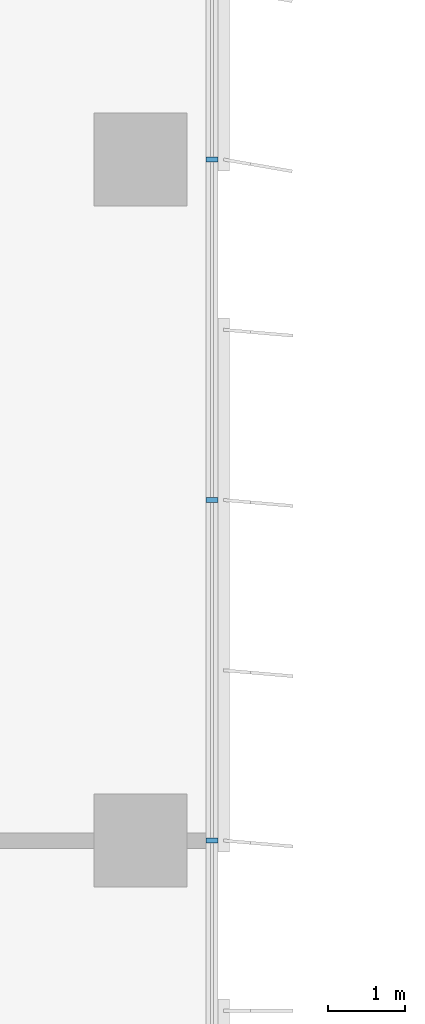
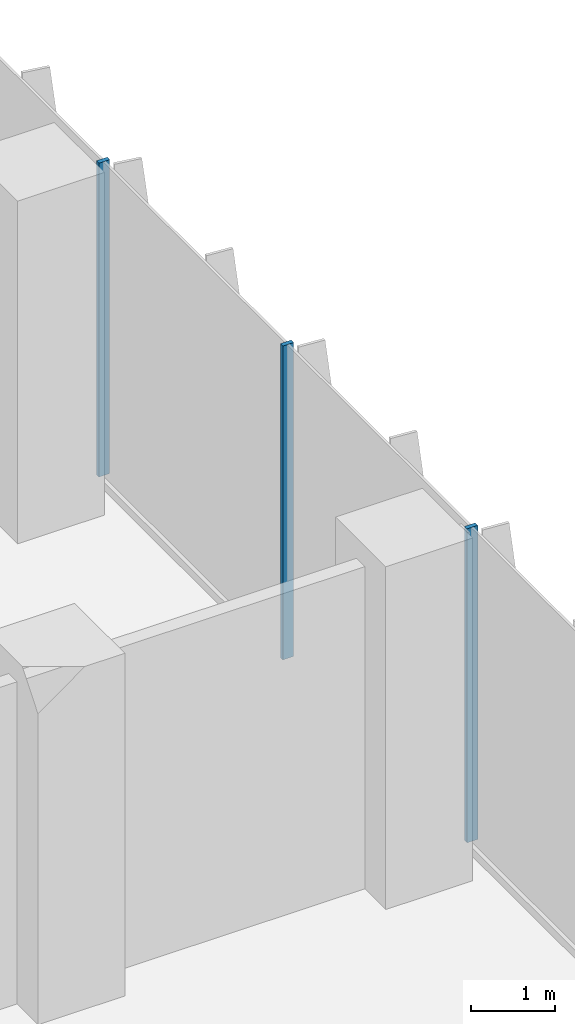
# One storey, part 7 of 21: 3 members, 1 element without a shape of its own.
"""IFC4 building model written with IfcOpenShell, lengths in metres."""

from ifc_helpers import new_model, si_unit, direction, frame, origin, origin_2d, place, context, subcontext, project, spatial, rectangle, extrude, source, transform, mapped, material, material_profile, profile_set, type_object, element, aggregate, save


model = new_model("IFC4")

# Units and contexts
model_context = context("Model", 3, precision=1e-05, world=origin(), true_north=direction((0.0, 1.0)))
body_context = subcontext(model_context, "Body", "Model", "MODEL_VIEW")
ifc_project = project(units=[si_unit("LENGTHUNIT", "METRE"), si_unit("AREAUNIT", "SQUARE_METRE"), si_unit("VOLUMEUNIT", "CUBIC_METRE"), si_unit("PLANEANGLEUNIT", "RADIAN"), si_unit("MASSUNIT", "GRAM", prefix="KILO")], contexts=[model_context])

# Site, building, storey
site_placement = place(None, origin())
site = spatial("IfcSite", under=ifc_project, at=site_placement, CompositionType="ELEMENT")
building_placement = place(site_placement, origin())
building = spatial("IfcBuilding", under=site, at=building_placement, Name="Kemantara Hotel Tower", CompositionType="ELEMENT")
storey_placement = place(building_placement, frame((0.0, 0.0, 133.300048828125)))
storey = spatial("IfcBuildingStorey", under=building, at=storey_placement, Name="L32", CompositionType="ELEMENT", Elevation=133.300048828125)

# Curtain wall, members
ifc_material_1 = material(Name="Low-E tinted double insulated glass 36 mm", Category="glass")
curtain_wall_type = type_object("IfcCurtainWallType", Name="TOWER CURTAIN WALL, FRONT FACES", PredefinedType="USERDEFINED", material=ifc_material_1)
curtain_wall_placement = place(storey_placement, origin())
curtain_wall = element("IfcCurtainWall", 1, at=curtain_wall_placement, inside=storey, type_object=curtain_wall_type, Name="CW4 L32 T2-R14-1", ObjectType="TOWER CURTAIN WALL, FRONT FACES", PredefinedType="USERDEFINED")
ifc_material_2 = material(Name="Aluminium 6063-T6 bronze anodised", Category="aluminium")
ifc_material_profile = material_profile(ifc_material_2, rectangle(XDim=0.14990234375, YDim=0.06005859375, at=origin_2d()), Name="TOWER CURTAIN WALL, FRONT FACES MULLION")
ifc_profile_set = profile_set([ifc_material_profile], Name="Aluminium 6063-T6 bronze anodised")
member_type = type_object("IfcMemberType", Name="TOWER CURTAIN WALL, FRONT FACES MULLION", PredefinedType="MULLION", material=ifc_profile_set)
shared_shape = source(origin(), body_context, "Body", "SweptSolid", [
    extrude(rectangle(XDim=0.14990234375, YDim=0.06005859375, at=origin_2d()), origin(), (0.0, 0.0, 1.0), 4.580078125),
])
member_1_placement = place(storey_placement, frame((26.72509765625, 53.800048828125, 0.119873046875), z_axis=(0.0, 0.0, 1.0), x_axis=(-1.0, 0.0, 0.0)))
member_1 = element("IfcMember", 2, at=member_1_placement, type_object=member_type, Name="CW4 mullion T2-R14-1.9", PredefinedType="MULLION", context=body_context, shape_type="MappedRepresentation", body=[
    mapped(shared_shape, transform((0.0, 0.0, 0.0))),
])
member_2_placement = place(storey_placement, frame((26.72509765625, 58.199951171875, 0.119873046875), z_axis=(0.0, 0.0, 1.0), x_axis=(-1.0, 0.0, 0.0)))
member_2 = element("IfcMember", 3, at=member_2_placement, type_object=member_type, Name="CW4 mullion T2-R14-1.10", PredefinedType="MULLION", context=body_context, shape_type="MappedRepresentation", body=[
    mapped(shared_shape, transform((0.0, 0.0, 0.0))),
])
member_3_placement = place(storey_placement, frame((26.72509765625, 62.60009765625, 0.119873046875), z_axis=(0.0, 0.0, 1.0), x_axis=(-1.0, 0.0, 0.0)))
member_3 = element("IfcMember", 4, at=member_3_placement, type_object=member_type, Name="CW4 mullion T2-R14-1.11", PredefinedType="MULLION", context=body_context, shape_type="MappedRepresentation", body=[
    mapped(shared_shape, transform((0.0, 0.0, 0.0))),
])
aggregate(curtain_wall, [member_1, member_2, member_3])

save(model, "model.ifc")
